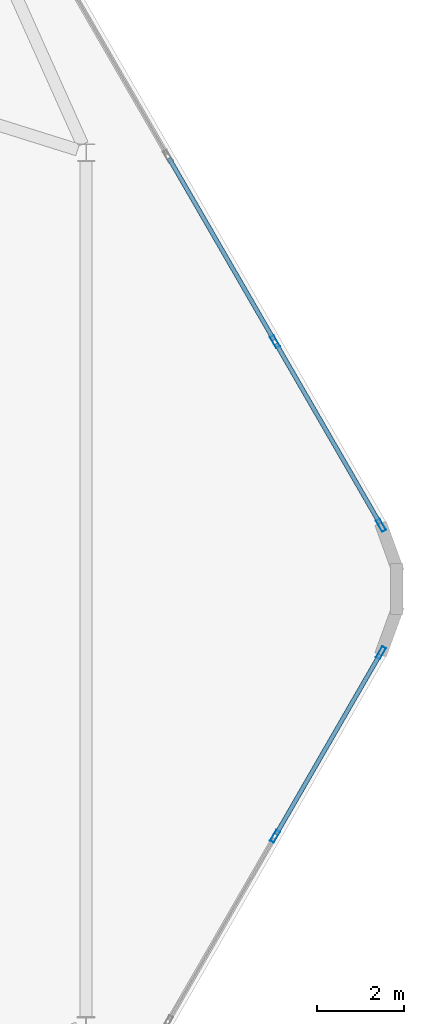
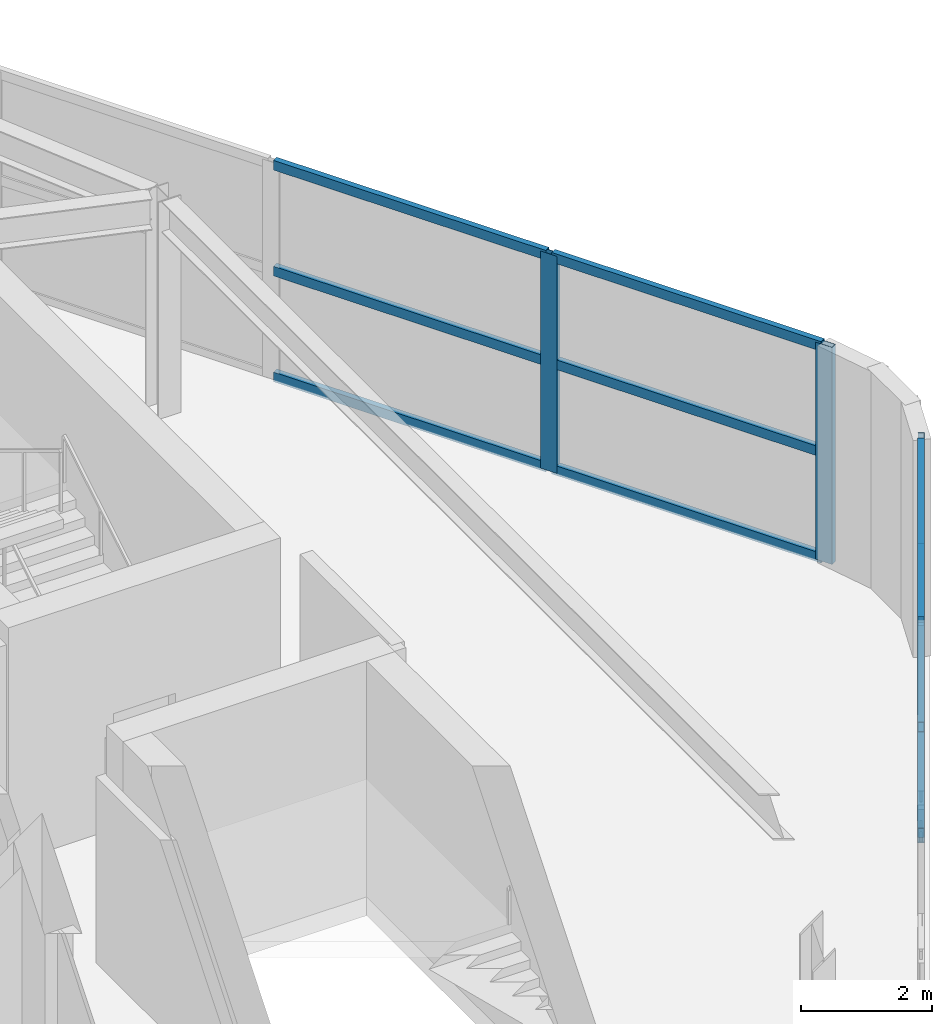
# One storey, part 9 of 16: 13 members, 2 elements without a shape of their own.
"""IFC4 building model written with IfcOpenShell, lengths in metres."""

from ifc_helpers import new_model, si_unit, direction, frame, origin, origin_2d, place, context, subcontext, project, spatial, hollow_rectangle, extrude, material, material_profile, profile_set, type_object, element, aggregate, save


model = new_model("IFC4")

# Units and contexts
model_context = context("Model", 3, precision=1e-05, world=origin(), true_north=direction((0.0, 1.0)))
body_context = subcontext(model_context, "Body", "Model", "MODEL_VIEW")
ifc_project = project(units=[si_unit("LENGTHUNIT", "METRE"), si_unit("AREAUNIT", "SQUARE_METRE"), si_unit("VOLUMEUNIT", "CUBIC_METRE"), si_unit("PLANEANGLEUNIT", "RADIAN"), si_unit("MASSUNIT", "GRAM", prefix="KILO")], contexts=[model_context])

# Site, building, storey
site_placement = place(None, origin())
site = spatial("IfcSite", under=ifc_project, at=site_placement, CompositionType="ELEMENT")
building_placement = place(site_placement, origin())
building = spatial("IfcBuilding", under=site, at=building_placement, Name="Zuhravey Tower", CompositionType="ELEMENT")
storey_placement = place(building_placement, frame((0.0, 0.0, 365.800048828125)))
storey = spatial("IfcBuildingStorey", under=building, at=storey_placement, Name="L93", CompositionType="ELEMENT", Elevation=365.800048828125)

# Curtain wall, members
ifc_material_1 = material(Name="Thermally broken anodised aluminium", Category="aluminium")
curtain_wall_type = type_object("IfcCurtainWallType", Name="Split-Top Crown Screened Curtain Wall CW6", PredefinedType="NOTDEFINED", material=ifc_material_1)
curtain_wall_1_placement = place(storey_placement, origin())
curtain_wall_1 = element("IfcCurtainWall", 1, at=curtain_wall_1_placement, inside=storey, type_object=curtain_wall_type, Name="L93 CW6 CW6-L93-EAST-04", PredefinedType="NOTDEFINED")
ifc_material_2 = material(Name="Anodised aluminium", Category="aluminium")
ifc_material_profile_1 = material_profile(ifc_material_2, hollow_rectangle(XDim=0.10009765625, YDim=0.2900390625, WallThickness=0.006103515625, at=origin_2d()), Name="ALU-RHS-100x290x6")
ifc_profile_set_1 = profile_set([ifc_material_profile_1], Name="Anodised aluminium")
member_type_1 = type_object("IfcMemberType", Name="Heavy Tall-Storey Mullion 100x220", PredefinedType="MULLION", material=ifc_profile_set_1)
member_1_placement = place(storey_placement, frame((60.528076171875, 37.6640625, 0.0), z_axis=(0.0, 0.0, 1.0), x_axis=(0.866027063754, 0.499997124838, 0.0)))
member_1 = element("IfcMember", 2, at=member_1_placement, type_object=member_type_1, Name="CW6 mullion 5", PredefinedType="MULLION", context=body_context, shape_type="SweptSolid", body=[
    extrude(hollow_rectangle(XDim=0.10009765625, YDim=0.2900390625, WallThickness=0.006103515625, at=origin_2d()), origin(), (0.0, 0.0, 1.0), 4.050048828125),
])
member_2_placement = place(storey_placement, frame((62.9560546875, 33.458984375, 0.0), z_axis=(0.0, 0.0, 1.0), x_axis=(0.866027063754, 0.499997124838, 0.0)))
member_2 = element("IfcMember", 3, at=member_2_placement, type_object=member_type_1, Name="CW6 mullion 6", PredefinedType="MULLION", context=body_context, shape_type="SweptSolid", body=[
    extrude(hollow_rectangle(XDim=0.10009765625, YDim=0.2900390625, WallThickness=0.006103515625, at=origin_2d()), origin(), (0.0, 0.0, 1.0), 4.050048828125),
])

curtain_wall_2_placement = place(storey_placement, origin())
curtain_wall_2 = element("IfcCurtainWall", 4, at=curtain_wall_2_placement, inside=storey, type_object=curtain_wall_type, Name="L93 CW6 CW6-L93-EAST-08", PredefinedType="NOTDEFINED")
member_3_placement = place(storey_placement, frame((62.9560546875, 30.541015625, 0.0), z_axis=(0.0, 0.0, 1.0), x_axis=(0.866027063754, -0.499997124838, 0.0)))
member_3 = element("IfcMember", 5, at=member_3_placement, type_object=member_type_1, Name="CW6 mullion 1", PredefinedType="MULLION", context=body_context, shape_type="SweptSolid", body=[
    extrude(hollow_rectangle(XDim=0.10009765625, YDim=0.2900390625, WallThickness=0.006103515625, at=origin_2d()), origin(), (0.0, 0.0, 1.0), 4.050048828125),
])
member_4_placement = place(storey_placement, frame((60.528076171875, 26.3359375, 0.0), z_axis=(0.0, 0.0, 1.0), x_axis=(0.866027063754, -0.499997124838, 0.0)))
member_4 = element("IfcMember", 6, at=member_4_placement, type_object=member_type_1, Name="CW6 mullion 2", PredefinedType="MULLION", context=body_context, shape_type="SweptSolid", body=[
    extrude(hollow_rectangle(XDim=0.10009765625, YDim=0.2900390625, WallThickness=0.006103515625, at=origin_2d()), origin(), (0.0, 0.0, 1.0), 4.050048828125),
])

# Member
ifc_material_profile_2 = material_profile(ifc_material_2, hollow_rectangle(XDim=0.10009765625, YDim=0.179931640625, WallThickness=0.006103515625, at=origin_2d()), Name="ALU-RHS-100x180x6")
ifc_profile_set_2 = profile_set([ifc_material_profile_2], Name="Anodised aluminium")
member_type_2 = type_object("IfcMemberType", Name="Tall-Storey Transom 100x180", PredefinedType="USERDEFINED", material=ifc_profile_set_2)
member_5_placement = place(storey_placement, frame((58.10009765625, 41.869384765625, 0.050048828125), z_axis=(0.50003466983, -0.866005386223, 0.0), x_axis=(0.866005386223, 0.50003466983, 0.0)))
member_5 = element("IfcMember", 7, at=member_5_placement, type_object=member_type_2, Name="CW6 transom 4.1", ObjectType="TRANSOM", PredefinedType="USERDEFINED", context=body_context, shape_type="SweptSolid", body=[
    extrude(hollow_rectangle(XDim=0.10009765625, YDim=0.179931640625, WallThickness=0.006103515625, at=origin_2d()), origin(), (0.0, 0.0, 1.0), 4.805908203125),
])

member_6_placement = place(storey_placement, frame((58.10009765625, 41.869384765625, 2.02490234375), z_axis=(0.50003466983, -0.866005386223, 0.0), x_axis=(0.866005386223, 0.50003466983, 0.0)))
member_6 = element("IfcMember", 8, at=member_6_placement, type_object=member_type_2, Name="CW6 transom 4.2", ObjectType="TRANSOM", PredefinedType="USERDEFINED", context=body_context, shape_type="SweptSolid", body=[
    extrude(hollow_rectangle(XDim=0.10009765625, YDim=0.179931640625, WallThickness=0.006103515625, at=origin_2d()), origin(), (0.0, 0.0, 1.0), 4.805908203125),
])

member_7_placement = place(storey_placement, frame((58.10009765625, 41.869384765625, 4.0), z_axis=(0.50003466983, -0.866005386223, 0.0), x_axis=(0.866005386223, 0.50003466983, 0.0)))
member_7 = element("IfcMember", 9, at=member_7_placement, type_object=member_type_2, Name="CW6 transom 4.3", ObjectType="TRANSOM", PredefinedType="USERDEFINED", context=body_context, shape_type="SweptSolid", body=[
    extrude(hollow_rectangle(XDim=0.10009765625, YDim=0.179931640625, WallThickness=0.006103515625, at=origin_2d()), origin(), (0.0, 0.0, 1.0), 4.805908203125),
])

member_8_placement = place(storey_placement, frame((60.552978515625, 37.620849609375, 0.050048828125), z_axis=(0.500003887042, -0.866023159588, 0.0), x_axis=(0.866023159588, 0.500003887042, 0.0)))
member_8 = element("IfcMember", 10, at=member_8_placement, type_object=member_type_2, Name="CW6 transom 5.1", ObjectType="TRANSOM", PredefinedType="USERDEFINED", context=body_context, shape_type="SweptSolid", body=[
    extrude(hollow_rectangle(XDim=0.10009765625, YDim=0.179931640625, WallThickness=0.006103515625, at=origin_2d()), origin(), (0.0, 0.0, 1.0), 4.755859375),
])

member_9_placement = place(storey_placement, frame((60.552978515625, 37.620849609375, 2.02490234375), z_axis=(0.500003887042, -0.866023159588, 0.0), x_axis=(0.866023159588, 0.500003887042, 0.0)))
member_9 = element("IfcMember", 11, at=member_9_placement, type_object=member_type_2, Name="CW6 transom 5.2", ObjectType="TRANSOM", PredefinedType="USERDEFINED", context=body_context, shape_type="SweptSolid", body=[
    extrude(hollow_rectangle(XDim=0.10009765625, YDim=0.179931640625, WallThickness=0.006103515625, at=origin_2d()), origin(), (0.0, 0.0, 1.0), 4.755859375),
])

member_10_placement = place(storey_placement, frame((60.552978515625, 37.620849609375, 4.0), z_axis=(0.500003887042, -0.866023159588, 0.0), x_axis=(0.866023159588, 0.500003887042, 0.0)))
member_10 = element("IfcMember", 12, at=member_10_placement, type_object=member_type_2, Name="CW6 transom 5.3", ObjectType="TRANSOM", PredefinedType="USERDEFINED", context=body_context, shape_type="SweptSolid", body=[
    extrude(hollow_rectangle(XDim=0.10009765625, YDim=0.179931640625, WallThickness=0.006103515625, at=origin_2d()), origin(), (0.0, 0.0, 1.0), 4.755859375),
])

aggregate(curtain_wall_1, [member_1, member_2, member_5, member_6, member_7, member_8, member_9, member_10])

member_11_placement = place(storey_placement, frame((62.930908203125, 30.497802734375, 0.050048828125), z_axis=(-0.500003887042, -0.866023159588, 0.0), x_axis=(0.866023159588, -0.500003887042, 0.0)))
member_11 = element("IfcMember", 13, at=member_11_placement, type_object=member_type_2, Name="CW6 transom 1.1", ObjectType="TRANSOM", PredefinedType="USERDEFINED", context=body_context, shape_type="SweptSolid", body=[
    extrude(hollow_rectangle(XDim=0.10009765625, YDim=0.179931640625, WallThickness=0.006103515625, at=origin_2d()), origin(), (0.0, 0.0, 1.0), 4.755859375),
])

member_12_placement = place(storey_placement, frame((62.930908203125, 30.497802734375, 2.02490234375), z_axis=(-0.500003887042, -0.866023159588, 0.0), x_axis=(0.866023159588, -0.500003887042, 0.0)))
member_12 = element("IfcMember", 14, at=member_12_placement, type_object=member_type_2, Name="CW6 transom 1.2", ObjectType="TRANSOM", PredefinedType="USERDEFINED", context=body_context, shape_type="SweptSolid", body=[
    extrude(hollow_rectangle(XDim=0.10009765625, YDim=0.179931640625, WallThickness=0.006103515625, at=origin_2d()), origin(), (0.0, 0.0, 1.0), 4.755859375),
])

member_13_placement = place(storey_placement, frame((62.930908203125, 30.497802734375, 4.0), z_axis=(-0.500003887042, -0.866023159588, 0.0), x_axis=(0.866023159588, -0.500003887042, 0.0)))
member_13 = element("IfcMember", 15, at=member_13_placement, type_object=member_type_2, Name="CW6 transom 1.3", ObjectType="TRANSOM", PredefinedType="USERDEFINED", context=body_context, shape_type="SweptSolid", body=[
    extrude(hollow_rectangle(XDim=0.10009765625, YDim=0.179931640625, WallThickness=0.006103515625, at=origin_2d()), origin(), (0.0, 0.0, 1.0), 4.755859375),
])

aggregate(curtain_wall_2, [member_3, member_4, member_11, member_12, member_13])

save(model, "model.ifc")
